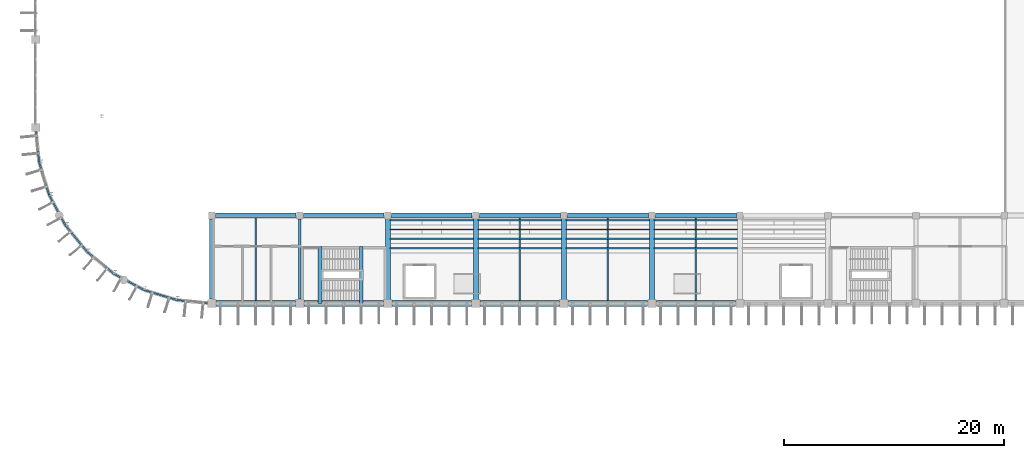
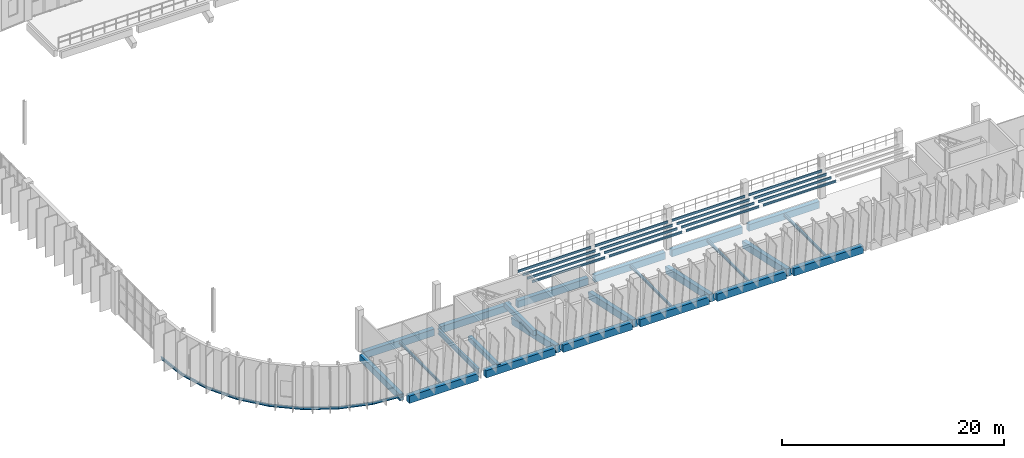
# One storey, part 13 of 93: 48 beams.
"""IFC4 building model written with IfcOpenShell, lengths in metres."""

from ifc_helpers import new_model, si_unit, direction, frame, origin, origin_2d, place, context, subcontext, project, spatial, rectangle, i_section, extrude, material, material_profile, profile_set, type_object, element, save


model = new_model("IFC4")

# Units and contexts
model_context = context("Model", 3, precision=1e-05, world=origin(), true_north=direction((0.0, 1.0)))
body_context = subcontext(model_context, "Body", "Model", "MODEL_VIEW")
ifc_project = project(units=[si_unit("LENGTHUNIT", "METRE"), si_unit("AREAUNIT", "SQUARE_METRE"), si_unit("VOLUMEUNIT", "CUBIC_METRE"), si_unit("PLANEANGLEUNIT", "RADIAN"), si_unit("MASSUNIT", "GRAM", prefix="KILO")], contexts=[model_context])

# Site, building, storey
site_placement = place(None, origin())
site = spatial("IfcSite", under=ifc_project, at=site_placement, CompositionType="ELEMENT")
building_placement = place(site_placement, origin())
building = spatial("IfcBuilding", under=site, at=building_placement, Name="Drelvana Railside Aquatics Centre", CompositionType="ELEMENT")
storey_placement = place(building_placement, frame((0.0, 0.0, 5.39990234375)))
storey = spatial("IfcBuildingStorey", under=building, at=storey_placement, Name="L01", CompositionType="ELEMENT", Elevation=5.39990234375)

# Beams
ifc_material_1 = material(Name="Concrete C40/50", Category="concrete")
ifc_material_profile_1 = material_profile(ifc_material_1, rectangle(XDim=0.35009765625, YDim=0.550048828125, at=origin_2d()), Name="RC 350x550")
ifc_profile_set_1 = profile_set([ifc_material_profile_1], Name="Concrete C40/50")
beam_type_1 = type_object("IfcBeamType", Name="STR-BM-BM-01-RC-350x550", PredefinedType="BEAM", material=ifc_profile_set_1)
for number, where, z_axis, x_axis, name in (
    (1, (25.85009765625, 16.0, -0.474853515625), (0.0, 1.0, 0.0), (-1.0, 0.0, 0.0), "Stair ST-01 L01 landing beam"),
    (2, (29.590087890625, 16.0, 1.925048828125), (0.0, 1.0, 0.0), (-1.0, 0.0, 0.0), "Stair ST-01 L01 mid-landing beam"),
):
    element("IfcBeam", number, at=place(storey_placement, frame(where, z_axis=z_axis, x_axis=x_axis)), inside=storey, type_object=beam_type_1, Name=name, PredefinedType="BEAM", context=body_context, shape_type="SweptSolid", body=[
        extrude(rectangle(XDim=0.35009765625, YDim=0.550048828125, at=origin_2d()), origin(), (0.0, 0.0, 1.0), 5.199951171875),
    ])
ifc_material_profile_2 = material_profile(ifc_material_1, rectangle(XDim=0.39990234375, YDim=0.699951171875, at=origin_2d()), Name="RC 400x700")
ifc_profile_set_2 = profile_set([ifc_material_profile_2], Name="Concrete C40/50")
beam_type_2 = type_object("IfcBeamType", Name="STR-BM-BM-03-RC-400x700", PredefinedType="BEAM", material=ifc_profile_set_2)
beam_1_placement = place(storey_placement, frame((16.0, 16.39990234375, -0.625), z_axis=(0.0, 1.0, 0.0), x_axis=(-1.0, 0.0, 0.0)))
element("IfcBeam", 3, at=beam_1_placement, inside=storey, type_object=beam_type_2, Name="Girder BM-03 (L01)", PredefinedType="BEAM", context=body_context, shape_type="SweptSolid", body=[
    extrude(rectangle(XDim=0.39990234375, YDim=0.699951171875, at=origin_2d()), origin(), (0.0, 0.0, 1.0), 7.275146484375),
])
ifc_material_profile_3 = material_profile(ifc_material_1, rectangle(XDim=0.449951171875, YDim=0.75, at=origin_2d()), Name="RC 450x750")
ifc_profile_set_3 = profile_set([ifc_material_profile_3], Name="Concrete C40/50")
beam_type_3 = type_object("IfcBeamType", Name="STR-BM-BM-04-RC-450x750", PredefinedType="BEAM", material=ifc_profile_set_3)
for number, where, z_axis, x_axis, name in (
    (4, (16.324951171875, 24.0, -0.64990234375), (1.0, 0.0, 0.0), (0.0, 1.0, 0.0), "Girder BM-04 (L01)"),
    (5, (24.324951171875, 24.0, -0.64990234375), (1.0, 0.0, 0.0), (0.0, 1.0, 0.0), "Girder BM-04 (L01)"),
    (6, (32.324951171875, 24.0, -0.64990234375), (1.0, 0.0, 0.0), (0.0, 1.0, 0.0), "Girder BM-04 (L01)"),
    (7, (40.324951171875, 24.0, -0.64990234375), (1.0, 0.0, 0.0), (0.0, 1.0, 0.0), "Girder BM-04 (L01)"),
    (8, (48.324951171875, 24.0, -0.64990234375), (1.0, 0.0, 0.0), (0.0, 1.0, 0.0), "Girder BM-04 (L01)"),
    (9, (56.324951171875, 24.0, -0.64990234375), (1.0, 0.0, 0.0), (0.0, 1.0, 0.0), "Girder BM-04 (L01)"),
):
    element("IfcBeam", number, at=place(storey_placement, frame(where, z_axis=z_axis, x_axis=x_axis)), inside=storey, type_object=beam_type_3, Name=name, PredefinedType="BEAM", context=body_context, shape_type="SweptSolid", body=[
        extrude(rectangle(XDim=0.449951171875, YDim=0.75, at=origin_2d()), origin(), (0.0, 0.0, 1.0), 7.35009765625),
    ])
ifc_material_profile_4 = material_profile(ifc_material_1, rectangle(XDim=0.5, YDim=0.800048828125, at=origin_2d()), Name="RC 500x800")
ifc_profile_set_4 = profile_set([ifc_material_profile_4], Name="Concrete C40/50")
beam_type_4 = type_object("IfcBeamType", Name="STR-BM-BM-06-RC-500x800", PredefinedType="SPANDREL", material=ifc_profile_set_4)
for number, where, z_axis, x_axis, name in (
    (10, (16.39990234375, 16.0, -0.6748046875), (1.0, 0.0, 0.0), (0.0, 1.0, 0.0), "Girder BM-06 (L01)"),
    (11, (24.39990234375, 16.0, -0.6748046875), (1.0, 0.0, 0.0), (0.0, 1.0, 0.0), "Girder BM-06 (L01)"),
    (12, (32.39990234375, 16.0, -0.6748046875), (1.0, 0.0, 0.0), (0.0, 1.0, 0.0), "Girder BM-06 (L01)"),
    (13, (40.39990234375, 16.0, -0.6748046875), (1.0, 0.0, 0.0), (0.0, 1.0, 0.0), "Girder BM-06 (L01)"),
    (14, (48.39990234375, 16.0, -0.6748046875), (1.0, 0.0, 0.0), (0.0, 1.0, 0.0), "Girder BM-06 (L01)"),
    (15, (56.39990234375, 16.0, -0.6748046875), (1.0, 0.0, 0.0), (0.0, 1.0, 0.0), "Girder BM-06 (L01)"),
):
    element("IfcBeam", number, at=place(storey_placement, frame(where, z_axis=z_axis, x_axis=x_axis)), inside=storey, type_object=beam_type_4, Name=name, PredefinedType="SPANDREL", context=body_context, shape_type="SweptSolid", body=[
        extrude(rectangle(XDim=0.5, YDim=0.800048828125, at=origin_2d()), origin(), (0.0, 0.0, 1.0), 7.2001953125),
    ])
ifc_material_profile_5 = material_profile(ifc_material_1, rectangle(XDim=0.449951171875, YDim=0.75, at=origin_2d()), Name="RC 450x750")
ifc_profile_set_5 = profile_set([ifc_material_profile_5], Name="Concrete C40/50")
beam_type_5 = type_object("IfcBeamType", Name="STR-BM-RK-02-RC-450x750", PredefinedType="USERDEFINED", material=ifc_profile_set_5)
for number, where, z_axis, x_axis, name in (
    (16, (32.0, 24.0, -2.3798828125), (0.0, -0.977407837194, 0.211362058544), (1.0, 0.0, 0.0), "Lower stand raker beam RK-02 S-X32"),
    (17, (40.0, 24.0, -2.3798828125), (0.0, -0.977407837194, 0.211362058544), (1.0, 0.0, 0.0), "Lower stand raker beam RK-02 S-X40"),
    (18, (48.0, 24.0, -2.3798828125), (0.0, -0.977407837194, 0.211362058544), (1.0, 0.0, 0.0), "Lower stand raker beam RK-02 S-X48"),
    (19, (56.0, 24.0, -2.3798828125), (0.0, -0.977407837194, 0.211362058544), (1.0, 0.0, 0.0), "Lower stand raker beam RK-02 S-X56"),
):
    element("IfcBeam", number, at=place(storey_placement, frame(where, z_axis=z_axis, x_axis=x_axis)), inside=storey, type_object=beam_type_5, Name=name, ObjectType="RAKER", PredefinedType="USERDEFINED", context=body_context, shape_type="SweptSolid", body=[
        extrude(rectangle(XDim=0.449951171875, YDim=0.75, at=origin_2d()), origin(), (0.0, 0.0, 1.0), 8.184814453125),
    ])
ifc_material_2 = material(Name="Structural steel S355", Category="steel")
ifc_material_profile_6 = material_profile(ifc_material_2, i_section(OverallWidth=0.2099609375, OverallDepth=0.550048828125, WebThickness=0.010986328125, FlangeThickness=0.01708984375, at=origin_2d()), Name="IPE 550")
ifc_profile_set_6 = profile_set([ifc_material_profile_6], Name="Structural steel S355")
beam_type_6 = type_object("IfcBeamType", Name="STR-SBM-SB-04-IPE-550", PredefinedType="SPANDREL", material=ifc_profile_set_6)
beam_2_placement = place(storey_placement, frame((24.0, 16.39990234375, -0.5498046875), z_axis=(0.0, 1.0, 0.0), x_axis=(-1.0, 0.0, 0.0)))
element("IfcBeam", 20, at=beam_2_placement, inside=storey, type_object=beam_type_6, Name="Girder SB-04 (L01)", PredefinedType="SPANDREL", context=body_context, shape_type="SweptSolid", body=[
    extrude(i_section(OverallWidth=0.2099609375, OverallDepth=0.550048828125, WebThickness=0.010986328125, FlangeThickness=0.01708984375, at=origin_2d()), origin(), (0.0, 0.0, 1.0), 7.275146484375),
])
ifc_material_profile_7 = material_profile(ifc_material_2, i_section(OverallWidth=0.1201171875, OverallDepth=0.239990234375, WebThickness=0.006103515625, FlangeThickness=0.009765625, at=origin_2d()), Name="IPE 240")
ifc_profile_set_7 = profile_set([ifc_material_profile_7], Name="Structural steel S355")
beam_type_7 = type_object("IfcBeamType", Name="STR-SBM-SJ-01-IPE-240", PredefinedType="JOIST", material=ifc_profile_set_7)
for number, where, z_axis, x_axis, name in (
    (21, (32.199951171875, 23.574951171875, 3.17919921875), (1.0, 0.0, 0.0), (0.0, 1.0, 0.0), "Upper stand tier bearer 1.R1"),
    (22, (32.199951171875, 22.72509765625, 3.3173828125), (1.0, 0.0, 0.0), (0.0, 1.0, 0.0), "Upper stand tier bearer 1.R2"),
    (23, (32.199951171875, 21.875, 3.455322265625), (1.0, 0.0, 0.0), (0.0, 1.0, 0.0), "Upper stand tier bearer 1.R3"),
    (24, (32.199951171875, 21.02490234375, 3.593505859375), (1.0, 0.0, 0.0), (0.0, 1.0, 0.0), "Upper stand tier bearer 1.R4"),
    (25, (40.199951171875, 23.574951171875, 3.17919921875), (1.0, 0.0, 0.0), (0.0, 1.0, 0.0), "Upper stand tier bearer 2.R1"),
    (26, (40.199951171875, 22.72509765625, 3.3173828125), (1.0, 0.0, 0.0), (0.0, 1.0, 0.0), "Upper stand tier bearer 2.R2"),
    (27, (40.199951171875, 21.875, 3.455322265625), (1.0, 0.0, 0.0), (0.0, 1.0, 0.0), "Upper stand tier bearer 2.R3"),
    (28, (40.199951171875, 21.02490234375, 3.593505859375), (1.0, 0.0, 0.0), (0.0, 1.0, 0.0), "Upper stand tier bearer 2.R4"),
    (29, (48.199951171875, 23.574951171875, 3.17919921875), (1.0, 0.0, 0.0), (0.0, 1.0, 0.0), "Upper stand tier bearer 3.R1"),
    (30, (48.199951171875, 22.72509765625, 3.3173828125), (1.0, 0.0, 0.0), (0.0, 1.0, 0.0), "Upper stand tier bearer 3.R2"),
    (31, (48.199951171875, 21.875, 3.455322265625), (1.0, 0.0, 0.0), (0.0, 1.0, 0.0), "Upper stand tier bearer 3.R3"),
    (32, (48.199951171875, 21.02490234375, 3.593505859375), (1.0, 0.0, 0.0), (0.0, 1.0, 0.0), "Upper stand tier bearer 3.R4"),
    (33, (56.199951171875, 23.574951171875, 3.17919921875), (1.0, 0.0, 0.0), (0.0, 1.0, 0.0), "Upper stand tier bearer 4.R1"),
    (34, (56.199951171875, 22.72509765625, 3.3173828125), (1.0, 0.0, 0.0), (0.0, 1.0, 0.0), "Upper stand tier bearer 4.R2"),
    (35, (56.199951171875, 21.875, 3.455322265625), (1.0, 0.0, 0.0), (0.0, 1.0, 0.0), "Upper stand tier bearer 4.R3"),
    (36, (56.199951171875, 21.02490234375, 3.593505859375), (1.0, 0.0, 0.0), (0.0, 1.0, 0.0), "Upper stand tier bearer 4.R4"),
):
    element("IfcBeam", number, at=place(storey_placement, frame(where, z_axis=z_axis, x_axis=x_axis)), inside=storey, type_object=beam_type_7, Name=name, PredefinedType="JOIST", context=body_context, shape_type="SweptSolid", body=[
        extrude(i_section(OverallWidth=0.1201171875, OverallDepth=0.239990234375, WebThickness=0.006103515625, FlangeThickness=0.009765625, at=origin_2d()), origin(), (0.0, 0.0, 1.0), 7.60009765625),
    ])
ifc_material_profile_8 = material_profile(ifc_material_2, i_section(OverallWidth=0.135009765625, OverallDepth=0.27001953125, WebThickness=0.006591796875, FlangeThickness=0.01025390625, at=origin_2d()), Name="IPE 270")
ifc_profile_set_8 = profile_set([ifc_material_profile_8], Name="Structural steel S355")
beam_type_8 = type_object("IfcBeamType", Name="STR-SBM-SJ-02-IPE-270", PredefinedType="JOIST", material=ifc_profile_set_8)
for number, where, z_axis, x_axis, name in (
    (37, (0.0, 32.0, -0.135009765625), (0.098000751113, -0.995186340733, 0.0), (0.995186340733, 0.098000751113, 0.0), "V1SW L01 curved spandrel beam 1"),
    (38, (0.307373046875, 28.878662109375, -0.135009765625), (0.290331426072, -0.956926153386, 0.0), (0.956926153386, 0.290331426072, 0.0), "V1SW L01 curved spandrel beam 2"),
):
    element("IfcBeam", number, at=place(storey_placement, frame(where, z_axis=z_axis, x_axis=x_axis)), inside=storey, type_object=beam_type_8, Name=name, PredefinedType="JOIST", context=body_context, shape_type="SweptSolid", body=[
        extrude(i_section(OverallWidth=0.135009765625, OverallDepth=0.27001953125, WebThickness=0.006591796875, FlangeThickness=0.01025390625, at=origin_2d()), origin(), (0.0, 0.0, 1.0), 3.136474609375),
    ])
beam_3_placement = place(storey_placement, frame((1.218017578125, 25.877197265625, -0.135009765625), z_axis=(0.471363701892, -0.881938921093, 0.0), x_axis=(0.881938921093, 0.471363701892, 0.0)))
element("IfcBeam", 39, at=beam_3_placement, inside=storey, type_object=beam_type_8, Name="V1SW L01 curved spandrel beam 3", PredefinedType="JOIST", context=body_context, shape_type="SweptSolid", body=[
    extrude(i_section(OverallWidth=0.135009765625, OverallDepth=0.27001953125, WebThickness=0.006591796875, FlangeThickness=0.01025390625, at=origin_2d()), origin(), (0.0, 0.0, 1.0), 3.13671875),
])
for number, where, z_axis, x_axis, name in (
    (40, (2.696533203125, 23.11083984375, -0.135009765625), (0.634385792339, -0.773016601683, 0.0), (0.773016601683, 0.634385792339, 0.0), "V1SW L01 curved spandrel beam 4"),
    (41, (4.686279296875, 20.686279296875, -0.135009765625), (0.773016601683, -0.634385792339, 0.0), (0.634385792339, 0.773016601683, 0.0), "V1SW L01 curved spandrel beam 5"),
):
    element("IfcBeam", number, at=place(storey_placement, frame(where, z_axis=z_axis, x_axis=x_axis)), inside=storey, type_object=beam_type_8, Name=name, PredefinedType="JOIST", context=body_context, shape_type="SweptSolid", body=[
        extrude(i_section(OverallWidth=0.135009765625, OverallDepth=0.27001953125, WebThickness=0.006591796875, FlangeThickness=0.01025390625, at=origin_2d()), origin(), (0.0, 0.0, 1.0), 3.136474609375),
    ])
beam_4_placement = place(storey_placement, frame((7.11083984375, 18.696533203125, -0.135009765625), z_axis=(0.881938921093, -0.471363701892, 0.0), x_axis=(0.471363701892, 0.881938921093, 0.0)))
element("IfcBeam", 42, at=beam_4_placement, inside=storey, type_object=beam_type_8, Name="V1SW L01 curved spandrel beam 6", PredefinedType="JOIST", context=body_context, shape_type="SweptSolid", body=[
    extrude(i_section(OverallWidth=0.135009765625, OverallDepth=0.27001953125, WebThickness=0.006591796875, FlangeThickness=0.01025390625, at=origin_2d()), origin(), (0.0, 0.0, 1.0), 3.13671875),
])
for number, where, z_axis, x_axis, name in (
    (43, (9.877197265625, 17.218017578125, -0.135009765625), (0.956926153386, -0.290331426072, 0.0), (0.290331426072, 0.956926153386, 0.0), "V1SW L01 curved spandrel beam 7"),
    (44, (12.878662109375, 16.307373046875, -0.135009765625), (0.995186340733, -0.098000751113, 0.0), (0.098000751113, 0.995186340733, 0.0), "V1SW L01 curved spandrel beam 8"),
):
    element("IfcBeam", number, at=place(storey_placement, frame(where, z_axis=z_axis, x_axis=x_axis)), inside=storey, type_object=beam_type_8, Name=name, PredefinedType="JOIST", context=body_context, shape_type="SweptSolid", body=[
        extrude(i_section(OverallWidth=0.135009765625, OverallDepth=0.27001953125, WebThickness=0.006591796875, FlangeThickness=0.01025390625, at=origin_2d()), origin(), (0.0, 0.0, 1.0), 3.136474609375),
    ])
ifc_material_profile_9 = material_profile(ifc_material_2, i_section(OverallWidth=0.14990234375, OverallDepth=0.300048828125, WebThickness=0.007080078125, FlangeThickness=0.0107421875, at=origin_2d()), Name="IPE 300")
ifc_profile_set_9 = profile_set([ifc_material_profile_9], Name="Structural steel S355")
beam_type_9 = type_object("IfcBeamType", Name="STR-SBM-SJ-03-IPE-300", PredefinedType="JOIST", material=ifc_profile_set_9)
for number, where, z_axis, x_axis, name in (
    (45, (20.0, 16.25, -0.4248046875), (0.0, 1.0, 0.0), (-1.0, 0.0, 0.0), "Secondary floor joist SJ-03 (L01)"),
    (46, (44.0, 16.25, -0.4248046875), (0.0, 1.0, 0.0), (-1.0, 0.0, 0.0), "Secondary floor joist SJ-03 (L01)"),
    (47, (52.0, 16.25, -0.4248046875), (0.0, 1.0, 0.0), (-1.0, 0.0, 0.0), "Secondary floor joist SJ-03 (L01)"),
    (48, (60.0, 16.25, -0.4248046875), (0.0, 1.0, 0.0), (-1.0, 0.0, 0.0), "Secondary floor joist SJ-03 (L01)"),
):
    element("IfcBeam", number, at=place(storey_placement, frame(where, z_axis=z_axis, x_axis=x_axis)), inside=storey, type_object=beam_type_9, Name=name, PredefinedType="JOIST", context=body_context, shape_type="SweptSolid", body=[
        extrude(i_section(OverallWidth=0.14990234375, OverallDepth=0.300048828125, WebThickness=0.007080078125, FlangeThickness=0.0107421875, at=origin_2d()), origin(), (0.0, 0.0, 1.0), 7.52490234375),
    ])

save(model, "model.ifc")
